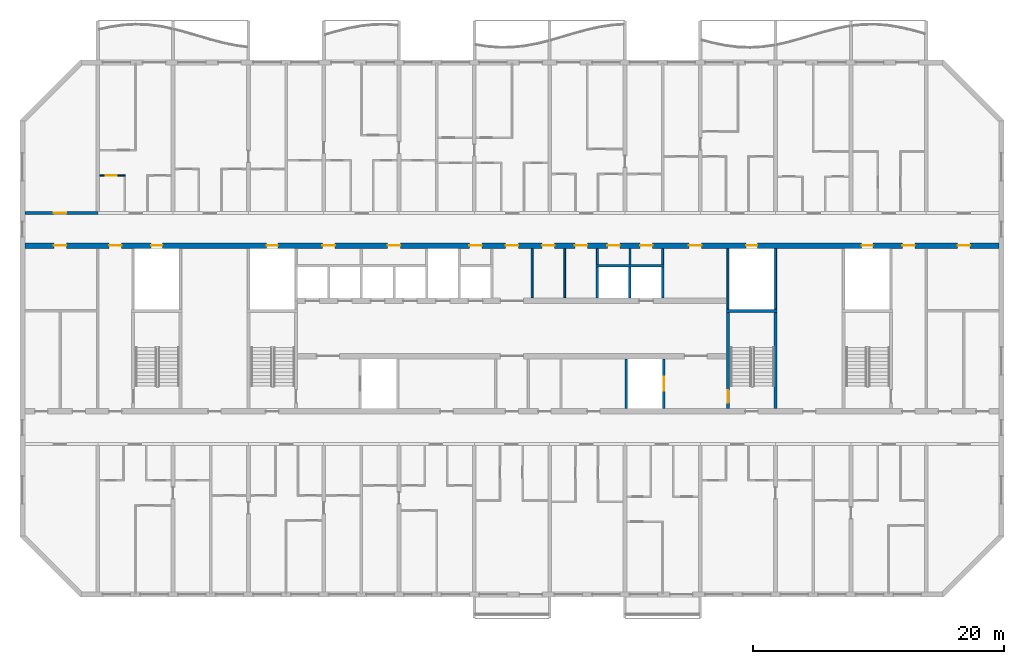
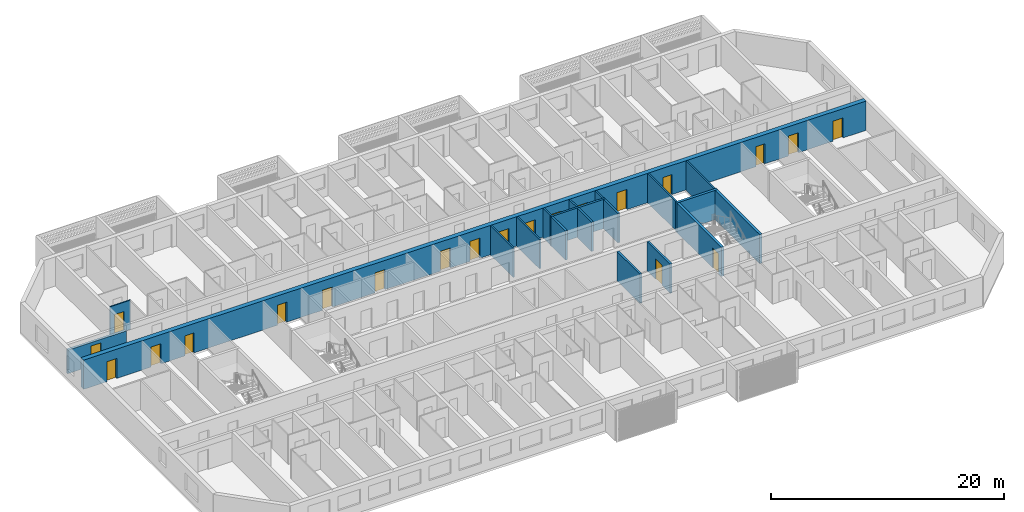
# One storey, part 7 of 31: 21 doors, 19 walls, 21 openings.
"""IFC4 building model written with IfcOpenShell, lengths in metres."""

from ifc_helpers import new_model, si_unit, direction, frame, frame_2d, origin, place, context, subcontext, project, spatial, rectangle, extrude, material, layer, layer_set, type_object, element, fill, save


model = new_model("IFC4")

# Units and contexts
model_context = context("Model", 3, precision=1e-05, world=origin(), true_north=direction((0.0, 1.0)))
body_context = subcontext(model_context, "Body", "Model", "MODEL_VIEW")
ifc_project = project(units=[si_unit("LENGTHUNIT", "METRE"), si_unit("AREAUNIT", "SQUARE_METRE"), si_unit("VOLUMEUNIT", "CUBIC_METRE"), si_unit("PLANEANGLEUNIT", "RADIAN"), si_unit("MASSUNIT", "GRAM", prefix="KILO")], contexts=[model_context])

# Site, building, storey
site_placement = place(None, origin())
site = spatial("IfcSite", under=ifc_project, at=site_placement, CompositionType="ELEMENT")
building_placement = place(site_placement, origin())
building = spatial("IfcBuilding", under=site, at=building_placement, Name="Poui Terraces", CompositionType="ELEMENT")
storey_placement = place(building_placement, frame((0.0, 0.0, 142.199951171875)))
storey = spatial("IfcBuildingStorey", under=building, at=storey_placement, Name="L39", CompositionType="ELEMENT", Elevation=142.199951171875)

# Wall
ifc_material_1 = material(Name="Fire-rated plasterboard wall")
ifc_layer_1 = layer(ifc_material_1, 0.14990234375)
ifc_layer_set_1 = layer_set([ifc_layer_1], Name="Fire-rated plasterboard wall")
wall_type_1 = type_object("IfcWallType", Name="CORRIDOR WALL 150", PredefinedType="PARTITIONING", material=ifc_layer_set_1)
wall_1_placement = place(storey_placement, frame((52.60009765625, 23.635009765625, 0.0), z_axis=(0.0, 0.0, 1.0), x_axis=(0.0, 1.0, 0.0)))
element("IfcWall", 1, at=wall_1_placement, inside=storey, type_object=wall_type_1, Name="CORRIDOR WALL 150", PredefinedType="PARTITIONING", context=body_context, shape_type="SweptSolid", body=[
    extrude(rectangle(XDim=3.929931640625, YDim=0.14990234375, at=frame_2d((1.96484375, 0.0))), origin(), (0.0, 0.0, 1.0), 3.070068359375),
])

# Wall, opening, door
ifc_material_2 = material(Name="Concrete 65 MPa", Category="concrete")
ifc_layer_2 = layer(ifc_material_2, 0.25)
ifc_layer_set_2 = layer_set([ifc_layer_2], Name="Concrete 65 MPa")
wall_type_2 = type_object("IfcWallType", Name="CORRIDOR WALL 250 65MPa", PredefinedType="SHEAR", material=ifc_layer_set_2)
wall_2_placement = place(storey_placement, frame((12.199951171875, 30.39990234375, 0.0), z_axis=(0.0, 0.0, 1.0), x_axis=(1.0, 0.0, 0.0)))
wall_2 = element("IfcWall", 2, at=wall_2_placement, inside=storey, type_object=wall_type_2, Name="CORRIDOR WALL LINE E BAY 1", PredefinedType="SHEAR", context=body_context, shape_type="SweptSolid", body=[
    extrude(rectangle(XDim=5.800048828125, YDim=0.25, at=frame_2d((2.89990234375, 0.0))), origin(), (0.0, 0.0, 1.0), 2.469970703125),
])
opening_1_placement = place(wall_2_placement, frame((2.300048828125, 0.0, 0.0)))
opening_1 = element("IfcOpeningElement", 3, at=opening_1_placement, cuts=wall_2, Name="Opening D100", PredefinedType="OPENING", context=body_context, shape_type="SweptSolid", body=[
    extrude(rectangle(XDim=1.0, YDim=2.10009765625, at=frame_2d((0.5, 1.050048828125))), frame((0.0, 0.135009765625, 0.0), z_axis=(0.0, -1.0, 0.0), x_axis=(1.0, 0.0, 0.0)), (0.0, 0.0, 1.0), 0.27001953125),
])
ifc_material_3 = material(Name="Solid core timber door", Category="wood")
door_type_1 = type_object("IfcDoorType", Name="ACCESSIBLE INTERNAL DOOR 1000 X 2100", OperationType="NOTDEFINED", PredefinedType="DOOR", material=ifc_material_3)
door_1_placement = place(opening_1_placement, origin())
door_1 = element("IfcDoor", 4, at=door_1_placement, inside=storey, type_object=door_type_1, Name="ACCESSIBLE INTERNAL DOOR 032", OperationType="SINGLE_SWING_LEFT", OverallHeight=2.10009765625, OverallWidth=1.0, PredefinedType="DOOR", context=body_context, shape_type="SweptSolid", body=[
    extrude(rectangle(XDim=1.0, YDim=2.10009765625, at=frame_2d((0.5, 1.050048828125))), frame((0.0, 0.02490234375, 0.0), z_axis=(0.0, -1.0, 0.0), x_axis=(1.0, 0.0, 0.0)), (0.0, 0.0, 1.0), 0.050048828125),
])
fill(opening_1, door_1)

ifc_material_4 = material(Name="Plasterboard partition")
ifc_layer_3 = layer(ifc_material_4, 0.10009765625)
ifc_layer_set_3 = layer_set([ifc_layer_3], Name="Plasterboard partition")
wall_type_3 = type_object("IfcWallType", Name="FLAT PARTITION 100", PredefinedType="PARTITIONING", material=ifc_layer_set_3)
wall_3_placement = place(storey_placement, frame((18.159912109375, 33.39990234375, 0.0), z_axis=(0.0, 0.0, 1.0), x_axis=(1.0, 0.0, 0.0)))
wall_3 = element("IfcWall", 5, at=wall_3_placement, inside=storey, type_object=wall_type_3, Name="FLAT PARTITION 100", PredefinedType="PARTITIONING", context=body_context, shape_type="SweptSolid", body=[
    extrude(rectangle(XDim=2.0400390625, YDim=0.10009765625, at=frame_2d((1.02001953125, 0.0))), origin(), (0.0, 0.0, 1.0), 3.070068359375),
])
opening_2_placement = place(wall_3_placement, frame((0.465087890625, 0.0, 0.0)))
opening_2 = element("IfcOpeningElement", 6, at=opening_2_placement, cuts=wall_3, Name="Opening D90", PredefinedType="OPENING", context=body_context, shape_type="SweptSolid", body=[
    extrude(rectangle(XDim=0.89990234375, YDim=2.10009765625, at=frame_2d((0.449951171875, 1.050048828125))), frame((0.0, 0.06005859375, 0.0), z_axis=(0.0, -1.0, 0.0), x_axis=(1.0, 0.0, 0.0)), (0.0, 0.0, 1.0), 0.1201171875),
])
door_type_2 = type_object("IfcDoorType", Name="INTERNAL DOOR 900 X 2100", OperationType="NOTDEFINED", PredefinedType="DOOR", material=ifc_material_3)
door_2_placement = place(opening_2_placement, frame((0.89990234375, 0.0, 0.0), z_axis=(0.0, 0.0, 1.0), x_axis=(-1.0, 0.0, 0.0)))
door_2 = element("IfcDoor", 7, at=door_2_placement, inside=storey, type_object=door_type_2, Name="INTERNAL DOOR 033", OperationType="SINGLE_SWING_LEFT", OverallHeight=2.10009765625, OverallWidth=0.89990234375, PredefinedType="DOOR", context=body_context, shape_type="SweptSolid", body=[
    extrude(rectangle(XDim=0.89990234375, YDim=2.10009765625, at=frame_2d((0.449951171875, 1.050048828125))), frame((0.0, 0.02490234375, 0.0), z_axis=(0.0, -1.0, 0.0), x_axis=(1.0, 0.0, 0.0)), (0.0, 0.0, 1.0), 0.050048828125),
])
fill(opening_2, door_2)

# Walls
ifc_layer_4 = layer(ifc_material_4, 0.14990234375)
ifc_layer_set_4 = layer_set([ifc_layer_4], Name="Plasterboard partition")
wall_type_4 = type_object("IfcWallType", Name="PARTITION WALL 150", PredefinedType="PARTITIONING", material=ifc_layer_set_4)
wall_4_placement = place(storey_placement, frame((55.199951171875, 23.635009765625, 0.0), z_axis=(0.0, 0.0, 1.0), x_axis=(0.0, 1.0, 0.0)))
element("IfcWall", 8, at=wall_4_placement, inside=storey, type_object=wall_type_4, Name="PARTITION WALL 150", PredefinedType="PARTITIONING", context=body_context, shape_type="SweptSolid", body=[
    extrude(rectangle(XDim=3.929931640625, YDim=0.14990234375, at=frame_2d((1.96484375, 0.0))), origin(), (0.0, 0.0, 1.0), 3.070068359375),
])
for number, where, z_axis, x_axis, name in (
    (9, (57.800048828125, 26.300048828125, 0.0), (0.0, 0.0, 1.0), (0.0, 1.0, 0.0), "PARTITION WALL 150"),
    (10, (60.39990234375, 26.300048828125, 0.0), (0.0, 0.0, 1.0), (0.0, 1.0, 0.0), "PARTITION WALL 150"),
    (11, (63.0, 26.300048828125, 0.0), (0.0, 0.0, 1.0), (0.0, 1.0, 0.0), "PARTITION WALL 150"),
):
    element("IfcWall", number, at=place(storey_placement, frame(where, z_axis=z_axis, x_axis=x_axis)), inside=storey, type_object=wall_type_4, Name=name, PredefinedType="PARTITIONING", context=body_context, shape_type="SweptSolid", body=[
        extrude(rectangle(XDim=1.264892578125, YDim=0.14990234375, at=frame_2d((0.63232421875, 0.0))), origin(), (0.0, 0.0, 1.0), 3.070068359375),
    ])
ifc_material_5 = material(Name="Fire-rated plasterboard riser wall")
ifc_layer_5 = layer(ifc_material_5, 0.14990234375)
ifc_layer_set_5 = layer_set([ifc_layer_5], Name="Fire-rated plasterboard riser wall")
wall_type_5 = type_object("IfcWallType", Name="RISER WALL 150", PredefinedType="PARTITIONING", material=ifc_layer_set_5)
for number, where, z_axis, x_axis, name in (
    (12, (68.199951171875, 22.735107421875, 0.0), (0.0, 0.0, 1.0), (0.0, 1.0, 0.0), "RISER WALL 150"),
    (13, (72.0, 22.735107421875, 0.0), (0.0, 0.0, 1.0), (0.0, 1.0, 0.0), "RISER WALL 150"),
):
    element("IfcWall", number, at=place(storey_placement, frame(where, z_axis=z_axis, x_axis=x_axis)), inside=storey, type_object=wall_type_5, Name=name, PredefinedType="PARTITIONING", context=body_context, shape_type="SweptSolid", body=[
        extrude(rectangle(XDim=4.829833984375, YDim=0.14990234375, at=frame_2d((2.4150390625, 0.0))), origin(), (0.0, 0.0, 1.0), 3.070068359375),
    ])
ifc_material_6 = material(Name="Fire-rated masonry shaft wall", Category="masonry")
ifc_layer_6 = layer(ifc_material_6, 0.199951171875)
ifc_layer_set_6 = layer_set([ifc_layer_6], Name="Fire-rated masonry shaft wall")
wall_type_6 = type_object("IfcWallType", Name="SHAFT WALL 200", PredefinedType="PARTITIONING", material=ifc_layer_set_6)
wall_5_placement = place(storey_placement, frame((57.699951171875, 26.199951171875, 0.0), z_axis=(0.0, 0.0, 1.0), x_axis=(1.0, 0.0, 0.0)))
element("IfcWall", 14, at=wall_5_placement, inside=storey, type_object=wall_type_6, Name="SHAFT WALL 200", PredefinedType="PARTITIONING", context=body_context, shape_type="SweptSolid", body=[
    extrude(rectangle(XDim=5.400146484375, YDim=0.199951171875, at=frame_2d((2.7001953125, 0.0))), origin(), (0.0, 0.0, 1.0), 3.070068359375),
])
wall_6_placement = place(storey_placement, frame((57.800048828125, 23.635009765625, 0.0), z_axis=(0.0, 0.0, 1.0), x_axis=(0.0, 1.0, 0.0)))
element("IfcWall", 15, at=wall_6_placement, inside=storey, type_object=wall_type_6, Name="SHAFT WALL 200", PredefinedType="PARTITIONING", context=body_context, shape_type="SweptSolid", body=[
    extrude(rectangle(XDim=2.465087890625, YDim=0.199951171875, at=frame_2d((1.232421875, 0.0))), origin(), (0.0, 0.0, 1.0), 3.070068359375),
])
wall_7_placement = place(storey_placement, frame((60.10009765625, 14.8349609375, 0.0), z_axis=(0.0, 0.0, 1.0), x_axis=(0.0, 1.0, 0.0)))
element("IfcWall", 16, at=wall_7_placement, inside=storey, type_object=wall_type_6, Name="SHAFT WALL 200", PredefinedType="PARTITIONING", context=body_context, shape_type="SweptSolid", body=[
    extrude(rectangle(XDim=3.929931640625, YDim=0.199951171875, at=frame_2d((1.96484375, 0.0))), origin(), (0.0, 0.0, 1.0), 3.070068359375),
])
for number, where, z_axis, x_axis, name in (
    (17, (60.39990234375, 23.635009765625, 0.0), (0.0, 0.0, 1.0), (0.0, 1.0, 0.0), "SHAFT WALL 200"),
    (18, (63.0, 23.635009765625, 0.0), (0.0, 0.0, 1.0), (0.0, 1.0, 0.0), "SHAFT WALL 200"),
):
    element("IfcWall", number, at=place(storey_placement, frame(where, z_axis=z_axis, x_axis=x_axis)), inside=storey, type_object=wall_type_6, Name=name, PredefinedType="PARTITIONING", context=body_context, shape_type="SweptSolid", body=[
        extrude(rectangle(XDim=2.465087890625, YDim=0.199951171875, at=frame_2d((1.232421875, 0.0))), origin(), (0.0, 0.0, 1.0), 3.070068359375),
    ])

# Wall, opening, door
wall_8_placement = place(storey_placement, frame((63.10009765625, 14.8349609375, 0.0), z_axis=(0.0, 0.0, 1.0), x_axis=(0.0, 1.0, 0.0)))
wall_8 = element("IfcWall", 19, at=wall_8_placement, inside=storey, type_object=wall_type_6, Name="SHAFT WALL 200", PredefinedType="PARTITIONING", context=body_context, shape_type="SweptSolid", body=[
    extrude(rectangle(XDim=3.929931640625, YDim=0.199951171875, at=frame_2d((1.96484375, 0.0))), origin(), (0.0, 0.0, 1.0), 3.070068359375),
])
opening_3_placement = place(wall_8_placement, frame((1.4150390625, 0.0, 0.0)))
opening_3 = element("IfcOpeningElement", 20, at=opening_3_placement, cuts=wall_8, Name="Opening LD", PredefinedType="OPENING", context=body_context, shape_type="SweptSolid", body=[
    extrude(rectangle(XDim=1.10009765625, YDim=2.10009765625, at=frame_2d((0.550048828125, 1.050048828125))), frame((0.0, 0.10986328125, 0.0), z_axis=(0.0, -1.0, 0.0), x_axis=(1.0, 0.0, 0.0)), (0.0, 0.0, 1.0), 0.219970703125),
])
ifc_material_7 = material(Name="Stainless steel sliding door", Category="steel")
door_type_3 = type_object("IfcDoorType", Name="LIFT LANDING DOOR 1100 X 2100", OperationType="DOUBLE_DOOR_SLIDING", PredefinedType="DOOR", material=ifc_material_7)
door_3_placement = place(opening_3_placement, origin())
door_3 = element("IfcDoor", 21, at=door_3_placement, inside=storey, type_object=door_type_3, Name="LANDING DOOR", OperationType="DOUBLE_DOOR_SLIDING", OverallHeight=2.10009765625, OverallWidth=1.10009765625, PredefinedType="DOOR", context=body_context, shape_type="SweptSolid", body=[
    extrude(rectangle(XDim=1.10009765625, YDim=2.10009765625, at=frame_2d((0.550048828125, 1.050048828125))), frame((0.0, 0.02490234375, 0.0), z_axis=(0.0, -1.0, 0.0), x_axis=(1.0, 0.0, 0.0)), (0.0, 0.0, 1.0), 0.050048828125),
])
fill(opening_3, door_3)

# Wall, openings, doors
ifc_layer_7 = layer(ifc_material_2, 0.449951171875)
ifc_layer_set_7 = layer_set([ifc_layer_7], Name="Concrete 65 MPa")
wall_type_7 = type_object("IfcWallType", Name="SPINE WALL 450 65 MPA", PredefinedType="SOLIDWALL", material=ifc_layer_set_7)
wall_9_placement = place(storey_placement, frame((12.199951171875, 27.800048828125, 0.0), z_axis=(0.0, 0.0, 1.0), x_axis=(1.0, 0.0, 0.0)))
wall_9 = element("IfcWall", 22, at=wall_9_placement, inside=storey, type_object=wall_type_7, Name="SPINE WALL", PredefinedType="SOLIDWALL", context=body_context, shape_type="SweptSolid", body=[
    extrude(rectangle(XDim=77.60009765625, YDim=0.449951171875, at=frame_2d((38.800048828125, 0.0))), origin(), (0.0, 0.0, 1.0), 3.070068359375),
])
opening_4_placement = place(wall_9_placement, frame((2.300048828125, 0.0, 0.0)))
opening_4 = element("IfcOpeningElement", 23, at=opening_4_placement, cuts=wall_9, Name="Opening FD60", PredefinedType="OPENING", context=body_context, shape_type="SweptSolid", body=[
    extrude(rectangle(XDim=1.0, YDim=2.10009765625, at=frame_2d((0.5, 1.050048828125))), frame((0.0, 0.23486328125, 0.0), z_axis=(0.0, -1.0, 0.0), x_axis=(1.0, 0.0, 0.0)), (0.0, 0.0, 1.0), 0.469970703125),
])
opening_5_placement = place(wall_9_placement, frame((6.699951171875, 0.0, 0.0)))
opening_5 = element("IfcOpeningElement", 24, at=opening_5_placement, cuts=wall_9, Name="Opening FDL", PredefinedType="OPENING", context=body_context, shape_type="SweptSolid", body=[
    extrude(rectangle(XDim=1.0, YDim=2.10009765625, at=frame_2d((0.5, 1.050048828125))), frame((0.0, 0.23486328125, 0.0), z_axis=(0.0, -1.0, 0.0), x_axis=(1.0, 0.0, 0.0)), (0.0, 0.0, 1.0), 0.469970703125),
])
opening_6_placement = place(wall_9_placement, frame((10.050048828125, 0.0, 0.0)))
opening_6 = element("IfcOpeningElement", 25, at=opening_6_placement, cuts=wall_9, Name="Opening FDR", PredefinedType="OPENING", context=body_context, shape_type="SweptSolid", body=[
    extrude(rectangle(XDim=0.89990234375, YDim=2.10009765625, at=frame_2d((0.449951171875, 1.050048828125))), frame((0.0, 0.23486328125, 0.0), z_axis=(0.0, -1.0, 0.0), x_axis=(1.0, 0.0, 0.0)), (0.0, 0.0, 1.0), 0.469970703125),
])
opening_7_placement = place(wall_9_placement, frame((19.25, 0.0, 0.0)))
opening_7 = element("IfcOpeningElement", 26, at=opening_7_placement, cuts=wall_9, Name="Opening FDR", PredefinedType="OPENING", context=body_context, shape_type="SweptSolid", body=[
    extrude(rectangle(XDim=0.89990234375, YDim=2.10009765625, at=frame_2d((0.449951171875, 1.050048828125))), frame((0.0, 0.23486328125, 0.0), z_axis=(0.0, -1.0, 0.0), x_axis=(1.0, 0.0, 0.0)), (0.0, 0.0, 1.0), 0.469970703125),
])
opening_8_placement = place(wall_9_placement, frame((23.699951171875, 0.0, 0.0)))
opening_8 = element("IfcOpeningElement", 27, at=opening_8_placement, cuts=wall_9, Name="Opening FD60", PredefinedType="OPENING", context=body_context, shape_type="SweptSolid", body=[
    extrude(rectangle(XDim=1.0, YDim=2.10009765625, at=frame_2d((0.5, 1.050048828125))), frame((0.0, 0.23486328125, 0.0), z_axis=(0.0, -1.0, 0.0), x_axis=(1.0, 0.0, 0.0)), (0.0, 0.0, 1.0), 0.469970703125),
])
opening_9_placement = place(wall_9_placement, frame((28.89990234375, 0.0, 0.0)))
opening_9 = element("IfcOpeningElement", 28, at=opening_9_placement, cuts=wall_9, Name="Opening FD60", PredefinedType="OPENING", context=body_context, shape_type="SweptSolid", body=[
    extrude(rectangle(XDim=1.0, YDim=2.10009765625, at=frame_2d((0.5, 1.050048828125))), frame((0.0, 0.23486328125, 0.0), z_axis=(0.0, -1.0, 0.0), x_axis=(1.0, 0.0, 0.0)), (0.0, 0.0, 1.0), 0.469970703125),
])
opening_10_placement = place(wall_9_placement, frame((35.39990234375, 0.0, 0.0)))
opening_10 = element("IfcOpeningElement", 29, at=opening_10_placement, cuts=wall_9, Name="Opening FD60", PredefinedType="OPENING", context=body_context, shape_type="SweptSolid", body=[
    extrude(rectangle(XDim=1.0, YDim=2.10009765625, at=frame_2d((0.5, 1.050048828125))), frame((0.0, 0.23486328125, 0.0), z_axis=(0.0, -1.0, 0.0), x_axis=(1.0, 0.0, 0.0)), (0.0, 0.0, 1.0), 0.469970703125),
])
opening_11_placement = place(wall_9_placement, frame((38.300048828125, 0.0, 0.0)))
opening_11 = element("IfcOpeningElement", 30, at=opening_11_placement, cuts=wall_9, Name="Opening FDL", PredefinedType="OPENING", context=body_context, shape_type="SweptSolid", body=[
    extrude(rectangle(XDim=1.0, YDim=2.10009765625, at=frame_2d((0.5, 1.050048828125))), frame((0.0, 0.23486328125, 0.0), z_axis=(0.0, -1.0, 0.0), x_axis=(1.0, 0.0, 0.0)), (0.0, 0.0, 1.0), 0.469970703125),
])
opening_12_placement = place(wall_9_placement, frame((41.199951171875, 0.0, 0.0)))
opening_12 = element("IfcOpeningElement", 31, at=opening_12_placement, cuts=wall_9, Name="Opening FD60", PredefinedType="OPENING", context=body_context, shape_type="SweptSolid", body=[
    extrude(rectangle(XDim=1.0, YDim=2.10009765625, at=frame_2d((0.5, 1.050048828125))), frame((0.0, 0.23486328125, 0.0), z_axis=(0.0, -1.0, 0.0), x_axis=(1.0, 0.0, 0.0)), (0.0, 0.0, 1.0), 0.469970703125),
])
opening_13_placement = place(wall_9_placement, frame((43.800048828125, 0.0, 0.0)))
opening_13 = element("IfcOpeningElement", 32, at=opening_13_placement, cuts=wall_9, Name="Opening FD60", PredefinedType="OPENING", context=body_context, shape_type="SweptSolid", body=[
    extrude(rectangle(XDim=1.0, YDim=2.10009765625, at=frame_2d((0.5, 1.050048828125))), frame((0.0, 0.23486328125, 0.0), z_axis=(0.0, -1.0, 0.0), x_axis=(1.0, 0.0, 0.0)), (0.0, 0.0, 1.0), 0.469970703125),
])
opening_14_placement = place(wall_9_placement, frame((46.39990234375, 0.0, 0.0)))
opening_14 = element("IfcOpeningElement", 33, at=opening_14_placement, cuts=wall_9, Name="Opening FD60", PredefinedType="OPENING", context=body_context, shape_type="SweptSolid", body=[
    extrude(rectangle(XDim=1.0, YDim=2.10009765625, at=frame_2d((0.5, 1.050048828125))), frame((0.0, 0.23486328125, 0.0), z_axis=(0.0, -1.0, 0.0), x_axis=(1.0, 0.0, 0.0)), (0.0, 0.0, 1.0), 0.469970703125),
])
opening_15_placement = place(wall_9_placement, frame((49.0, 0.0, 0.0)))
opening_15 = element("IfcOpeningElement", 34, at=opening_15_placement, cuts=wall_9, Name="Opening FD60", PredefinedType="OPENING", context=body_context, shape_type="SweptSolid", body=[
    extrude(rectangle(XDim=1.0, YDim=2.10009765625, at=frame_2d((0.5, 1.050048828125))), frame((0.0, 0.23486328125, 0.0), z_axis=(0.0, -1.0, 0.0), x_axis=(1.0, 0.0, 0.0)), (0.0, 0.0, 1.0), 0.469970703125),
])
opening_16_placement = place(wall_9_placement, frame((52.89990234375, 0.0, 0.0)))
opening_16 = element("IfcOpeningElement", 35, at=opening_16_placement, cuts=wall_9, Name="Opening FD60", PredefinedType="OPENING", context=body_context, shape_type="SweptSolid", body=[
    extrude(rectangle(XDim=1.0, YDim=2.10009765625, at=frame_2d((0.5, 1.050048828125))), frame((0.0, 0.23486328125, 0.0), z_axis=(0.0, -1.0, 0.0), x_axis=(1.0, 0.0, 0.0)), (0.0, 0.0, 1.0), 0.469970703125),
])
opening_17_placement = place(wall_9_placement, frame((57.449951171875, 0.0, 0.0)))
opening_17 = element("IfcOpeningElement", 36, at=opening_17_placement, cuts=wall_9, Name="Opening FDR", PredefinedType="OPENING", context=body_context, shape_type="SweptSolid", body=[
    extrude(rectangle(XDim=0.89990234375, YDim=2.10009765625, at=frame_2d((0.449951171875, 1.050048828125))), frame((0.0, 0.23486328125, 0.0), z_axis=(0.0, -1.0, 0.0), x_axis=(1.0, 0.0, 0.0)), (0.0, 0.0, 1.0), 0.469970703125),
])
opening_18_placement = place(wall_9_placement, frame((66.64990234375, 0.0, 0.0)))
opening_18 = element("IfcOpeningElement", 37, at=opening_18_placement, cuts=wall_9, Name="Opening FDR", PredefinedType="OPENING", context=body_context, shape_type="SweptSolid", body=[
    extrude(rectangle(XDim=0.89990234375, YDim=2.10009765625, at=frame_2d((0.449951171875, 1.050048828125))), frame((0.0, 0.23486328125, 0.0), z_axis=(0.0, -1.0, 0.0), x_axis=(1.0, 0.0, 0.0)), (0.0, 0.0, 1.0), 0.469970703125),
])
opening_19_placement = place(wall_9_placement, frame((69.89990234375, 0.0, 0.0)))
opening_19 = element("IfcOpeningElement", 38, at=opening_19_placement, cuts=wall_9, Name="Opening FDL", PredefinedType="OPENING", context=body_context, shape_type="SweptSolid", body=[
    extrude(rectangle(XDim=1.0, YDim=2.10009765625, at=frame_2d((0.5, 1.050048828125))), frame((0.0, 0.23486328125, 0.0), z_axis=(0.0, -1.0, 0.0), x_axis=(1.0, 0.0, 0.0)), (0.0, 0.0, 1.0), 0.469970703125),
])
opening_20_placement = place(wall_9_placement, frame((74.300048828125, 0.0, 0.0)))
opening_20 = element("IfcOpeningElement", 39, at=opening_20_placement, cuts=wall_9, Name="Opening FD60", PredefinedType="OPENING", context=body_context, shape_type="SweptSolid", body=[
    extrude(rectangle(XDim=1.0, YDim=2.10009765625, at=frame_2d((0.5, 1.050048828125))), frame((0.0, 0.23486328125, 0.0), z_axis=(0.0, -1.0, 0.0), x_axis=(1.0, 0.0, 0.0)), (0.0, 0.0, 1.0), 0.469970703125),
])
ifc_material_8 = material(Name="Steel fire door", Category="steel")
door_type_4 = type_object("IfcDoorType", Name="LOBBY FIRE DOOR 1000 X 2100", OperationType="NOTDEFINED", PredefinedType="DOOR", material=ifc_material_8)
door_4_placement = place(opening_5_placement, origin())
door_4 = element("IfcDoor", 40, at=door_4_placement, inside=storey, type_object=door_type_4, Name="LOBBY FIRE DOOR 002", OperationType="SINGLE_SWING_LEFT", OverallHeight=2.10009765625, OverallWidth=1.0, PredefinedType="DOOR", context=body_context, shape_type="SweptSolid", body=[
    extrude(rectangle(XDim=1.0, YDim=2.10009765625, at=frame_2d((0.5, 1.050048828125))), frame((0.0, 0.02490234375, 0.0), z_axis=(0.0, -1.0, 0.0), x_axis=(1.0, 0.0, 0.0)), (0.0, 0.0, 1.0), 0.050048828125),
])
fill(opening_5, door_4)
door_5_placement = place(opening_11_placement, origin())
door_5 = element("IfcDoor", 41, at=door_5_placement, inside=storey, type_object=door_type_4, Name="LOBBY FIRE DOOR 008", OperationType="SINGLE_SWING_RIGHT", OverallHeight=2.10009765625, OverallWidth=1.0, PredefinedType="DOOR", context=body_context, shape_type="SweptSolid", body=[
    extrude(rectangle(XDim=1.0, YDim=2.10009765625, at=frame_2d((0.5, 1.050048828125))), frame((0.0, 0.02490234375, 0.0), z_axis=(0.0, -1.0, 0.0), x_axis=(1.0, 0.0, 0.0)), (0.0, 0.0, 1.0), 0.050048828125),
])
fill(opening_11, door_5)
door_6_placement = place(opening_19_placement, origin())
door_6 = element("IfcDoor", 42, at=door_6_placement, inside=storey, type_object=door_type_4, Name="LOBBY FIRE DOOR 016", OperationType="SINGLE_SWING_RIGHT", OverallHeight=2.10009765625, OverallWidth=1.0, PredefinedType="DOOR", context=body_context, shape_type="SweptSolid", body=[
    extrude(rectangle(XDim=1.0, YDim=2.10009765625, at=frame_2d((0.5, 1.050048828125))), frame((0.0, 0.02490234375, 0.0), z_axis=(0.0, -1.0, 0.0), x_axis=(1.0, 0.0, 0.0)), (0.0, 0.0, 1.0), 0.050048828125),
])
fill(opening_19, door_6)
door_type_5 = type_object("IfcDoorType", Name="RISER CUPBOARD DOOR 900 X 2100", OperationType="NOTDEFINED", PredefinedType="DOOR", material=ifc_material_8)
door_7_placement = place(opening_6_placement, origin())
door_7 = element("IfcDoor", 43, at=door_7_placement, inside=storey, type_object=door_type_5, Name="RISER CUPBOARD DOOR 003", OperationType="SINGLE_SWING_LEFT", OverallHeight=2.10009765625, OverallWidth=0.89990234375, PredefinedType="DOOR", context=body_context, shape_type="SweptSolid", body=[
    extrude(rectangle(XDim=0.89990234375, YDim=2.10009765625, at=frame_2d((0.449951171875, 1.050048828125))), frame((0.0, 0.02490234375, 0.0), z_axis=(0.0, -1.0, 0.0), x_axis=(1.0, 0.0, 0.0)), (0.0, 0.0, 1.0), 0.050048828125),
])
fill(opening_6, door_7)
door_8_placement = place(opening_7_placement, origin())
door_8 = element("IfcDoor", 44, at=door_8_placement, inside=storey, type_object=door_type_5, Name="RISER CUPBOARD DOOR 004", OperationType="SINGLE_SWING_LEFT", OverallHeight=2.10009765625, OverallWidth=0.89990234375, PredefinedType="DOOR", context=body_context, shape_type="SweptSolid", body=[
    extrude(rectangle(XDim=0.89990234375, YDim=2.10009765625, at=frame_2d((0.449951171875, 1.050048828125))), frame((0.0, 0.02490234375, 0.0), z_axis=(0.0, -1.0, 0.0), x_axis=(1.0, 0.0, 0.0)), (0.0, 0.0, 1.0), 0.050048828125),
])
fill(opening_7, door_8)
door_9_placement = place(opening_17_placement, origin())
door_9 = element("IfcDoor", 45, at=door_9_placement, inside=storey, type_object=door_type_5, Name="RISER CUPBOARD DOOR 014", OperationType="SINGLE_SWING_RIGHT", OverallHeight=2.10009765625, OverallWidth=0.89990234375, PredefinedType="DOOR", context=body_context, shape_type="SweptSolid", body=[
    extrude(rectangle(XDim=0.89990234375, YDim=2.10009765625, at=frame_2d((0.449951171875, 1.050048828125))), frame((0.0, 0.02490234375, 0.0), z_axis=(0.0, -1.0, 0.0), x_axis=(1.0, 0.0, 0.0)), (0.0, 0.0, 1.0), 0.050048828125),
])
fill(opening_17, door_9)
door_10_placement = place(opening_18_placement, origin())
door_10 = element("IfcDoor", 46, at=door_10_placement, inside=storey, type_object=door_type_5, Name="RISER CUPBOARD DOOR 015", OperationType="SINGLE_SWING_RIGHT", OverallHeight=2.10009765625, OverallWidth=0.89990234375, PredefinedType="DOOR", context=body_context, shape_type="SweptSolid", body=[
    extrude(rectangle(XDim=0.89990234375, YDim=2.10009765625, at=frame_2d((0.449951171875, 1.050048828125))), frame((0.0, 0.02490234375, 0.0), z_axis=(0.0, -1.0, 0.0), x_axis=(1.0, 0.0, 0.0)), (0.0, 0.0, 1.0), 0.050048828125),
])
fill(opening_18, door_10)
door_type_6 = type_object("IfcDoorType", Name="SERVICE ROOM FIRE DOOR 1000 X 2100", OperationType="NOTDEFINED", PredefinedType="DOOR", material=ifc_material_8)
door_11_placement = place(opening_4_placement, origin())
door_11 = element("IfcDoor", 47, at=door_11_placement, inside=storey, type_object=door_type_6, Name="SERVICE ROOM FIRE DOOR 001", OperationType="SINGLE_SWING_RIGHT", OverallHeight=2.10009765625, OverallWidth=1.0, PredefinedType="DOOR", context=body_context, shape_type="SweptSolid", body=[
    extrude(rectangle(XDim=1.0, YDim=2.10009765625, at=frame_2d((0.5, 1.050048828125))), frame((0.0, 0.02490234375, 0.0), z_axis=(0.0, -1.0, 0.0), x_axis=(1.0, 0.0, 0.0)), (0.0, 0.0, 1.0), 0.050048828125),
])
fill(opening_4, door_11)
door_12_placement = place(opening_8_placement, origin())
door_12 = element("IfcDoor", 48, at=door_12_placement, inside=storey, type_object=door_type_6, Name="SERVICE ROOM FIRE DOOR 005", OperationType="SINGLE_SWING_RIGHT", OverallHeight=2.10009765625, OverallWidth=1.0, PredefinedType="DOOR", context=body_context, shape_type="SweptSolid", body=[
    extrude(rectangle(XDim=1.0, YDim=2.10009765625, at=frame_2d((0.5, 1.050048828125))), frame((0.0, 0.02490234375, 0.0), z_axis=(0.0, -1.0, 0.0), x_axis=(1.0, 0.0, 0.0)), (0.0, 0.0, 1.0), 0.050048828125),
])
fill(opening_8, door_12)
door_13_placement = place(opening_9_placement, origin())
door_13 = element("IfcDoor", 49, at=door_13_placement, inside=storey, type_object=door_type_6, Name="SERVICE ROOM FIRE DOOR 006", OperationType="SINGLE_SWING_LEFT", OverallHeight=2.10009765625, OverallWidth=1.0, PredefinedType="DOOR", context=body_context, shape_type="SweptSolid", body=[
    extrude(rectangle(XDim=1.0, YDim=2.10009765625, at=frame_2d((0.5, 1.050048828125))), frame((0.0, 0.02490234375, 0.0), z_axis=(0.0, -1.0, 0.0), x_axis=(1.0, 0.0, 0.0)), (0.0, 0.0, 1.0), 0.050048828125),
])
fill(opening_9, door_13)
door_14_placement = place(opening_10_placement, origin())
door_14 = element("IfcDoor", 50, at=door_14_placement, inside=storey, type_object=door_type_6, Name="SERVICE ROOM FIRE DOOR 007", OperationType="SINGLE_SWING_RIGHT", OverallHeight=2.10009765625, OverallWidth=1.0, PredefinedType="DOOR", context=body_context, shape_type="SweptSolid", body=[
    extrude(rectangle(XDim=1.0, YDim=2.10009765625, at=frame_2d((0.5, 1.050048828125))), frame((0.0, 0.02490234375, 0.0), z_axis=(0.0, -1.0, 0.0), x_axis=(1.0, 0.0, 0.0)), (0.0, 0.0, 1.0), 0.050048828125),
])
fill(opening_10, door_14)
door_15_placement = place(opening_12_placement, origin())
door_15 = element("IfcDoor", 51, at=door_15_placement, inside=storey, type_object=door_type_6, Name="SERVICE ROOM FIRE DOOR 009", OperationType="SINGLE_SWING_LEFT", OverallHeight=2.10009765625, OverallWidth=1.0, PredefinedType="DOOR", context=body_context, shape_type="SweptSolid", body=[
    extrude(rectangle(XDim=1.0, YDim=2.10009765625, at=frame_2d((0.5, 1.050048828125))), frame((0.0, 0.02490234375, 0.0), z_axis=(0.0, -1.0, 0.0), x_axis=(1.0, 0.0, 0.0)), (0.0, 0.0, 1.0), 0.050048828125),
])
fill(opening_12, door_15)
door_16_placement = place(opening_13_placement, origin())
door_16 = element("IfcDoor", 52, at=door_16_placement, inside=storey, type_object=door_type_6, Name="SERVICE ROOM FIRE DOOR 010", OperationType="SINGLE_SWING_RIGHT", OverallHeight=2.10009765625, OverallWidth=1.0, PredefinedType="DOOR", context=body_context, shape_type="SweptSolid", body=[
    extrude(rectangle(XDim=1.0, YDim=2.10009765625, at=frame_2d((0.5, 1.050048828125))), frame((0.0, 0.02490234375, 0.0), z_axis=(0.0, -1.0, 0.0), x_axis=(1.0, 0.0, 0.0)), (0.0, 0.0, 1.0), 0.050048828125),
])
fill(opening_13, door_16)
door_17_placement = place(opening_14_placement, origin())
door_17 = element("IfcDoor", 53, at=door_17_placement, inside=storey, type_object=door_type_6, Name="SERVICE ROOM FIRE DOOR 011", OperationType="SINGLE_SWING_LEFT", OverallHeight=2.10009765625, OverallWidth=1.0, PredefinedType="DOOR", context=body_context, shape_type="SweptSolid", body=[
    extrude(rectangle(XDim=1.0, YDim=2.10009765625, at=frame_2d((0.5, 1.050048828125))), frame((0.0, 0.02490234375, 0.0), z_axis=(0.0, -1.0, 0.0), x_axis=(1.0, 0.0, 0.0)), (0.0, 0.0, 1.0), 0.050048828125),
])
fill(opening_14, door_17)
door_18_placement = place(opening_15_placement, origin())
door_18 = element("IfcDoor", 54, at=door_18_placement, inside=storey, type_object=door_type_6, Name="SERVICE ROOM FIRE DOOR 012", OperationType="SINGLE_SWING_RIGHT", OverallHeight=2.10009765625, OverallWidth=1.0, PredefinedType="DOOR", context=body_context, shape_type="SweptSolid", body=[
    extrude(rectangle(XDim=1.0, YDim=2.10009765625, at=frame_2d((0.5, 1.050048828125))), frame((0.0, 0.02490234375, 0.0), z_axis=(0.0, -1.0, 0.0), x_axis=(1.0, 0.0, 0.0)), (0.0, 0.0, 1.0), 0.050048828125),
])
fill(opening_15, door_18)
door_19_placement = place(opening_16_placement, origin())
door_19 = element("IfcDoor", 55, at=door_19_placement, inside=storey, type_object=door_type_6, Name="SERVICE ROOM FIRE DOOR 013", OperationType="SINGLE_SWING_LEFT", OverallHeight=2.10009765625, OverallWidth=1.0, PredefinedType="DOOR", context=body_context, shape_type="SweptSolid", body=[
    extrude(rectangle(XDim=1.0, YDim=2.10009765625, at=frame_2d((0.5, 1.050048828125))), frame((0.0, 0.02490234375, 0.0), z_axis=(0.0, -1.0, 0.0), x_axis=(1.0, 0.0, 0.0)), (0.0, 0.0, 1.0), 0.050048828125),
])
fill(opening_16, door_19)
door_20_placement = place(opening_20_placement, origin())
door_20 = element("IfcDoor", 56, at=door_20_placement, inside=storey, type_object=door_type_6, Name="SERVICE ROOM FIRE DOOR 017", OperationType="SINGLE_SWING_LEFT", OverallHeight=2.10009765625, OverallWidth=1.0, PredefinedType="DOOR", context=body_context, shape_type="SweptSolid", body=[
    extrude(rectangle(XDim=1.0, YDim=2.10009765625, at=frame_2d((0.5, 1.050048828125))), frame((0.0, 0.02490234375, 0.0), z_axis=(0.0, -1.0, 0.0), x_axis=(1.0, 0.0, 0.0)), (0.0, 0.0, 1.0), 0.050048828125),
])
fill(opening_20, door_20)

# Wall, opening, door
ifc_layer_8 = layer(ifc_material_2, 0.25)
ifc_layer_set_8 = layer_set([ifc_layer_8], Name="Concrete 65 MPa")
wall_type_8 = type_object("IfcWallType", Name="STAIR CORE WALL 250 65 MPA", PredefinedType="SOLIDWALL", material=ifc_layer_set_8)
wall_10_placement = place(storey_placement, frame((68.199951171875, 14.824951171875, 0.0), z_axis=(0.0, 0.0, 1.0), x_axis=(0.0, 1.0, 0.0)))
wall_10 = element("IfcWall", 57, at=wall_10_placement, inside=storey, type_object=wall_type_8, Name="STAIR CORE WALL", PredefinedType="SOLIDWALL", context=body_context, shape_type="SweptSolid", body=[
    extrude(rectangle(XDim=7.650146484375, YDim=0.25, at=frame_2d((3.8251953125, 0.0))), origin(), (0.0, 0.0, 1.0), 3.070068359375),
])
opening_21_placement = place(wall_10_placement, frame((0.47509765625, 0.0, 0.0)))
opening_21 = element("IfcOpeningElement", 58, at=opening_21_placement, cuts=wall_10, Name="Opening FD60S", PredefinedType="OPENING", context=body_context, shape_type="SweptSolid", body=[
    extrude(rectangle(XDim=1.0, YDim=2.10009765625, at=frame_2d((0.5, 1.050048828125))), frame((0.0, 0.135009765625, 0.0), z_axis=(0.0, -1.0, 0.0), x_axis=(1.0, 0.0, 0.0)), (0.0, 0.0, 1.0), 0.27001953125),
])
door_type_7 = type_object("IfcDoorType", Name="STAIR DOOR 1000 X 2100", OperationType="NOTDEFINED", PredefinedType="DOOR", material=ifc_material_8)
door_21_placement = place(opening_21_placement, frame((1.0, 0.0, 0.0), z_axis=(0.0, 0.0, 1.0), x_axis=(-1.0, 0.0, 0.0)))
door_21 = element("IfcDoor", 59, at=door_21_placement, inside=storey, type_object=door_type_7, Name="STAIR DOOR 121", OperationType="SINGLE_SWING_LEFT", OverallHeight=2.10009765625, OverallWidth=1.0, PredefinedType="DOOR", context=body_context, shape_type="SweptSolid", body=[
    extrude(rectangle(XDim=1.0, YDim=2.10009765625, at=frame_2d((0.5, 1.050048828125))), frame((0.0, 0.02490234375, 0.0), z_axis=(0.0, -1.0, 0.0), x_axis=(1.0, 0.0, 0.0)), (0.0, 0.0, 1.0), 0.050048828125),
])
fill(opening_21, door_21)

# Walls
wall_11_placement = place(storey_placement, frame((72.0, 14.824951171875, 0.0), z_axis=(0.0, 0.0, 1.0), x_axis=(0.0, 1.0, 0.0)))
element("IfcWall", 60, at=wall_11_placement, inside=storey, type_object=wall_type_8, Name="STAIR CORE WALL", PredefinedType="SOLIDWALL", context=body_context, shape_type="SweptSolid", body=[
    extrude(rectangle(XDim=7.650146484375, YDim=0.25, at=frame_2d((3.8251953125, 0.0))), origin(), (0.0, 0.0, 1.0), 3.070068359375),
])
wall_12_placement = place(storey_placement, frame((68.074951171875, 22.60009765625, 0.0), z_axis=(0.0, 0.0, 1.0), x_axis=(1.0, 0.0, 0.0)))
element("IfcWall", 61, at=wall_12_placement, inside=storey, type_object=wall_type_8, Name="STAIR CORE WALL", PredefinedType="SOLIDWALL", context=body_context, shape_type="SweptSolid", body=[
    extrude(rectangle(XDim=4.050048828125, YDim=0.25, at=frame_2d((2.02490234375, 0.0))), origin(), (0.0, 0.0, 1.0), 3.070068359375),
])

save(model, "model.ifc")
